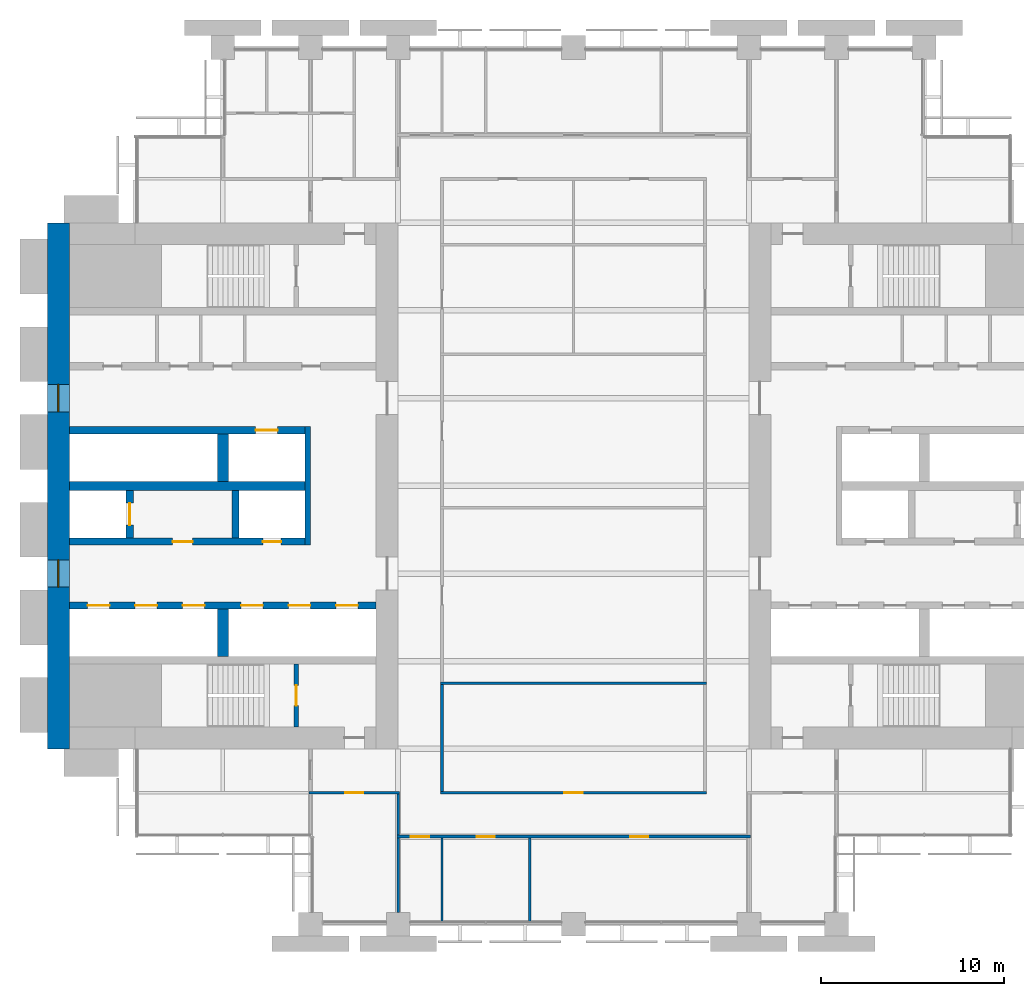
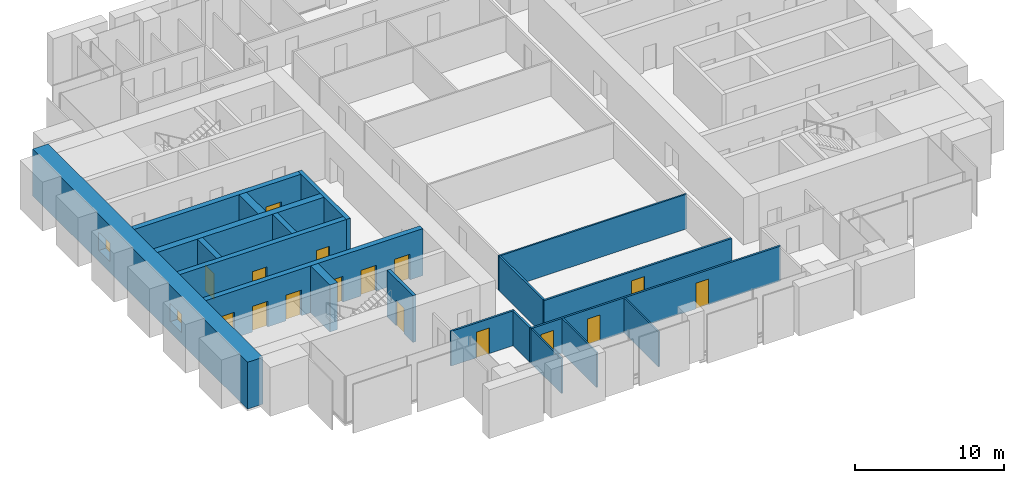
# One storey, part 9 of 14: 20 walls, 16 doors, 2 windows, 18 openings.
"""IFC4 building model written with IfcOpenShell, lengths in metres."""

from ifc_helpers import new_model, si_unit, direction, frame, frame_2d, origin, place, context, subcontext, project, spatial, rectangle, extrude, material, layer, layer_set, type_object, element, fill, save


model = new_model("IFC4")

# Units and contexts
model_context = context("Model", 3, precision=1e-05, world=origin(), true_north=direction((0.0, 1.0)))
body_context = subcontext(model_context, "Body", "Model", "MODEL_VIEW")
ifc_project = project(units=[si_unit("LENGTHUNIT", "METRE"), si_unit("AREAUNIT", "SQUARE_METRE"), si_unit("VOLUMEUNIT", "CUBIC_METRE"), si_unit("PLANEANGLEUNIT", "RADIAN"), si_unit("MASSUNIT", "GRAM", prefix="KILO")], contexts=[model_context])

# Site, building, storey
site_placement = place(None, origin())
site = spatial("IfcSite", under=ifc_project, at=site_placement, CompositionType="ELEMENT")
building_placement = place(site_placement, origin())
building = spatial("IfcBuilding", under=site, at=building_placement, Name="Baori Bourse Tower", CompositionType="ELEMENT")
storey_placement = place(building_placement, frame((0.0, 0.0, 67.0)))
storey = spatial("IfcBuildingStorey", under=building, at=storey_placement, Name="L14", CompositionType="ELEMENT", Elevation=67.0)

# Wall, openings, windows
ifc_material_1 = material(Name="Concrete f'c 70 MPa", Category="concrete")
ifc_layer_1 = layer(ifc_material_1, 1.199951171875)
ifc_layer_set_1 = layer_set([ifc_layer_1], Name="Core wall 1200 f'c 70")
wall_type_1 = type_object("IfcWallType", Name="Core wall 1200 f'c 70", PredefinedType="SHEAR", material=ifc_layer_set_1)
wall_1_placement = place(storey_placement, frame((0.60009765625, 9.60009765625, 0.0), z_axis=(0.0, 0.0, 1.0), x_axis=(0.0, 1.0, 0.0)))
wall_1 = element("IfcWall", 1, at=wall_1_placement, inside=storey, type_object=wall_type_1, Name="Core wall W01", PredefinedType="SHEAR", context=body_context, shape_type="SweptSolid", body=[
    extrude(rectangle(XDim=28.7998046875, YDim=1.199951171875, at=frame_2d((14.39990234375, 0.0))), origin(), (0.0, 0.0, 1.0), 3.840087890625),
])
opening_1_placement = place(wall_1_placement, frame((8.85009765625, 0.0, 0.89990234375)))
opening_1 = element("IfcOpeningElement", 2, at=opening_1_placement, cuts=wall_1, Name="Opening L14-KW101", PredefinedType="OPENING", context=body_context, shape_type="SweptSolid", body=[
    extrude(rectangle(XDim=1.5, YDim=1.5, at=frame_2d((0.75, 0.75))), frame((0.0, 0.60986328125, 0.0), z_axis=(0.0, -1.0, 0.0), x_axis=(1.0, 0.0, 0.0)), (0.0, 0.0, 1.0), 1.219970703125),
])
opening_2_placement = place(wall_1_placement, frame((18.449951171875, 0.0, 0.89990234375)))
opening_2 = element("IfcOpeningElement", 3, at=opening_2_placement, cuts=wall_1, Name="Opening L14-KW102", PredefinedType="OPENING", context=body_context, shape_type="SweptSolid", body=[
    extrude(rectangle(XDim=1.5, YDim=1.5, at=frame_2d((0.75, 0.75))), frame((0.0, 0.60986328125, 0.0), z_axis=(0.0, -1.0, 0.0), x_axis=(1.0, 0.0, 0.0)), (0.0, 0.0, 1.0), 1.219970703125),
])
ifc_material_2 = material(Name="Pale anodised aluminium", Category="aluminium")
window_type = type_object("IfcWindowType", Name="Lobby window 1500 x 1500", PartitioningType="SINGLE_PANEL", PredefinedType="WINDOW", material=ifc_material_2)
window_1_placement = place(opening_1_placement, origin())
window_1 = element("IfcWindow", 4, at=window_1_placement, inside=storey, type_object=window_type, Name="Outer wall window W L14 1", OverallHeight=1.5, OverallWidth=1.5, PartitioningType="SINGLE_PANEL", PredefinedType="WINDOW", context=body_context, shape_type="SweptSolid", body=[
    extrude(rectangle(XDim=1.5, YDim=1.5, at=frame_2d((0.75, 0.75))), frame((0.0, 0.030029296875, 0.0), z_axis=(0.0, -1.0, 0.0), x_axis=(1.0, 0.0, 0.0)), (0.0, 0.0, 1.0), 0.06005859375),
])
fill(opening_1, window_1)
window_2_placement = place(opening_2_placement, origin())
window_2 = element("IfcWindow", 5, at=window_2_placement, inside=storey, type_object=window_type, Name="Outer wall window W L14 2", OverallHeight=1.5, OverallWidth=1.5, PartitioningType="SINGLE_PANEL", PredefinedType="WINDOW", context=body_context, shape_type="SweptSolid", body=[
    extrude(rectangle(XDim=1.5, YDim=1.5, at=frame_2d((0.75, 0.75))), frame((0.0, 0.030029296875, 0.0), z_axis=(0.0, -1.0, 0.0), x_axis=(1.0, 0.0, 0.0)), (0.0, 0.0, 1.0), 0.06005859375),
])
fill(opening_2, window_2)

# Wall, openings, doors
ifc_material_3 = material(Name="Gypsum board partition")
ifc_layer_2 = layer(ifc_material_3, 0.14990234375)
ifc_layer_set_2 = layer_set([ifc_layer_2], Name="Corridor partition 150")
wall_type_2 = type_object("IfcWallType", Name="Corridor partition 150", PredefinedType="PARTITIONING", material=ifc_layer_set_2)
wall_2_placement = place(storey_placement, frame((19.125, 4.800048828125, 0.0), z_axis=(0.0, 0.0, 1.0), x_axis=(1.0, 0.0, 0.0)))
wall_2 = element("IfcWall", 6, at=wall_2_placement, inside=storey, type_object=wall_type_2, Name="Partition", PredefinedType="PARTITIONING", context=body_context, shape_type="SweptSolid", body=[
    extrude(rectangle(XDim=19.35009765625, YDim=0.14990234375, at=frame_2d((9.675048828125, 0.0))), origin(), (0.0, 0.0, 1.0), 2.849365234375),
])
opening_3_placement = place(wall_2_placement, frame((0.77490234375, 0.0, 0.0)))
opening_3 = element("IfcOpeningElement", 7, at=opening_3_placement, cuts=wall_2, Name="Opening L14-D01", PredefinedType="OPENING", context=body_context, shape_type="SweptSolid", body=[
    extrude(rectangle(XDim=1.0, YDim=2.10009765625, at=frame_2d((0.5, 1.050048828125))), frame((0.0, 0.0849609375, 0.0), z_axis=(0.0, -1.0, 0.0), x_axis=(1.0, 0.0, 0.0)), (0.0, 0.0, 1.0), 0.169921875),
])
opening_4_placement = place(wall_2_placement, frame((4.375, 0.0, 0.0)))
opening_4 = element("IfcOpeningElement", 8, at=opening_4_placement, cuts=wall_2, Name="Opening L14-D02", PredefinedType="OPENING", context=body_context, shape_type="SweptSolid", body=[
    extrude(rectangle(XDim=1.0, YDim=2.10009765625, at=frame_2d((0.5, 1.050048828125))), frame((0.0, 0.0849609375, 0.0), z_axis=(0.0, -1.0, 0.0), x_axis=(1.0, 0.0, 0.0)), (0.0, 0.0, 1.0), 0.169921875),
])
opening_5_placement = place(wall_2_placement, frame((12.77490234375, 0.0, 0.0)))
opening_5 = element("IfcOpeningElement", 9, at=opening_5_placement, cuts=wall_2, Name="Opening L14-D03", PredefinedType="OPENING", context=body_context, shape_type="SweptSolid", body=[
    extrude(rectangle(XDim=1.0, YDim=2.10009765625, at=frame_2d((0.5, 1.050048828125))), frame((0.0, 0.0849609375, 0.0), z_axis=(0.0, -1.0, 0.0), x_axis=(1.0, 0.0, 0.0)), (0.0, 0.0, 1.0), 0.169921875),
])
ifc_material_4 = material(Name="Timber door leaf", Category="wood")
door_type_1 = type_object("IfcDoorType", Name="Door 1000 x 2100", OperationType="SINGLE_SWING_LEFT", PredefinedType="DOOR", material=ifc_material_4)
door_1_placement = place(opening_3_placement, origin())
door_1 = element("IfcDoor", 10, at=door_1_placement, inside=storey, type_object=door_type_1, Name="Door", OperationType="SINGLE_SWING_LEFT", OverallHeight=2.10009765625, OverallWidth=1.0, PredefinedType="DOOR", context=body_context, shape_type="SweptSolid", body=[
    extrude(rectangle(XDim=1.0, YDim=2.10009765625, at=frame_2d((0.5, 1.050048828125))), frame((0.0, 0.02490234375, 0.0), z_axis=(0.0, -1.0, 0.0), x_axis=(1.0, 0.0, 0.0)), (0.0, 0.0, 1.0), 0.050048828125),
])
fill(opening_3, door_1)
door_2_placement = place(opening_4_placement, origin())
door_2 = element("IfcDoor", 11, at=door_2_placement, inside=storey, type_object=door_type_1, Name="Door", OperationType="SINGLE_SWING_LEFT", OverallHeight=2.10009765625, OverallWidth=1.0, PredefinedType="DOOR", context=body_context, shape_type="SweptSolid", body=[
    extrude(rectangle(XDim=1.0, YDim=2.10009765625, at=frame_2d((0.5, 1.050048828125))), frame((0.0, 0.02490234375, 0.0), z_axis=(0.0, -1.0, 0.0), x_axis=(1.0, 0.0, 0.0)), (0.0, 0.0, 1.0), 0.050048828125),
])
fill(opening_4, door_2)
door_3_placement = place(opening_5_placement, origin())
door_3 = element("IfcDoor", 12, at=door_3_placement, inside=storey, type_object=door_type_1, Name="Door", OperationType="SINGLE_SWING_RIGHT", OverallHeight=2.10009765625, OverallWidth=1.0, PredefinedType="DOOR", context=body_context, shape_type="SweptSolid", body=[
    extrude(rectangle(XDim=1.0, YDim=2.10009765625, at=frame_2d((0.5, 1.050048828125))), frame((0.0, 0.02490234375, 0.0), z_axis=(0.0, -1.0, 0.0), x_axis=(1.0, 0.0, 0.0)), (0.0, 0.0, 1.0), 0.050048828125),
])
fill(opening_5, door_3)

# Wall, opening, door
wall_3_placement = place(storey_placement, frame((14.324951171875, 7.199951171875, 0.0), z_axis=(0.0, 0.0, 1.0), x_axis=(1.0, 0.0, 0.0)))
wall_3 = element("IfcWall", 13, at=wall_3_placement, inside=storey, type_object=wall_type_2, Name="Partition", PredefinedType="PARTITIONING", context=body_context, shape_type="SweptSolid", body=[
    extrude(rectangle(XDim=4.949951171875, YDim=0.14990234375, at=frame_2d((2.47509765625, 0.0))), origin(), (0.0, 0.0, 1.0), 2.849365234375),
])
opening_6_placement = place(wall_3_placement, frame((1.97509765625, 0.0, 0.0)))
opening_6 = element("IfcOpeningElement", 14, at=opening_6_placement, cuts=wall_3, Name="Opening L14-D04", PredefinedType="OPENING", context=body_context, shape_type="SweptSolid", body=[
    extrude(rectangle(XDim=1.0, YDim=2.10009765625, at=frame_2d((0.5, 1.050048828125))), frame((0.0, 0.0849609375, 0.0), z_axis=(0.0, -1.0, 0.0), x_axis=(1.0, 0.0, 0.0)), (0.0, 0.0, 1.0), 0.169921875),
])
door_4_placement = place(opening_6_placement, origin())
door_4 = element("IfcDoor", 15, at=door_4_placement, inside=storey, type_object=door_type_1, Name="Door", OperationType="SINGLE_SWING_RIGHT", OverallHeight=2.10009765625, OverallWidth=1.0, PredefinedType="DOOR", context=body_context, shape_type="SweptSolid", body=[
    extrude(rectangle(XDim=1.0, YDim=2.10009765625, at=frame_2d((0.5, 1.050048828125))), frame((0.0, 0.02490234375, 0.0), z_axis=(0.0, -1.0, 0.0), x_axis=(1.0, 0.0, 0.0)), (0.0, 0.0, 1.0), 0.050048828125),
])
fill(opening_6, door_4)

wall_4_placement = place(storey_placement, frame((21.52490234375, 7.199951171875, 0.0), z_axis=(0.0, 0.0, 1.0), x_axis=(1.0, 0.0, 0.0)))
wall_4 = element("IfcWall", 16, at=wall_4_placement, inside=storey, type_object=wall_type_2, Name="Partition", PredefinedType="PARTITIONING", context=body_context, shape_type="SweptSolid", body=[
    extrude(rectangle(XDim=14.550048828125, YDim=0.14990234375, at=frame_2d((7.27490234375, 0.0))), origin(), (0.0, 0.0, 1.0), 2.849365234375),
])
opening_7_placement = place(wall_4_placement, frame((6.77490234375, 0.0, 0.0)))
opening_7 = element("IfcOpeningElement", 17, at=opening_7_placement, cuts=wall_4, Name="Opening L14-D05", PredefinedType="OPENING", context=body_context, shape_type="SweptSolid", body=[
    extrude(rectangle(XDim=1.0, YDim=2.10009765625, at=frame_2d((0.5, 1.050048828125))), frame((0.0, 0.0849609375, 0.0), z_axis=(0.0, -1.0, 0.0), x_axis=(1.0, 0.0, 0.0)), (0.0, 0.0, 1.0), 0.169921875),
])
door_5_placement = place(opening_7_placement, origin())
door_5 = element("IfcDoor", 18, at=door_5_placement, inside=storey, type_object=door_type_1, Name="Door", OperationType="SINGLE_SWING_RIGHT", OverallHeight=2.10009765625, OverallWidth=1.0, PredefinedType="DOOR", context=body_context, shape_type="SweptSolid", body=[
    extrude(rectangle(XDim=1.0, YDim=2.10009765625, at=frame_2d((0.5, 1.050048828125))), frame((0.0, 0.02490234375, 0.0), z_axis=(0.0, -1.0, 0.0), x_axis=(1.0, 0.0, 0.0)), (0.0, 0.0, 1.0), 0.050048828125),
])
fill(opening_7, door_5)

# Walls
wall_5_placement = place(storey_placement, frame((19.199951171875, 4.875, 0.0), z_axis=(0.0, 0.0, 1.0), x_axis=(0.0, 1.0, 0.0)))
element("IfcWall", 19, at=wall_5_placement, inside=storey, type_object=wall_type_2, Name="Partition", PredefinedType="PARTITIONING", context=body_context, shape_type="SweptSolid", body=[
    extrude(rectangle(XDim=2.25, YDim=0.14990234375, at=frame_2d((1.125, 0.0))), origin(), (0.0, 0.0, 1.0), 2.849365234375),
])
wall_6_placement = place(storey_placement, frame((21.60009765625, 7.27490234375, 0.0), z_axis=(0.0, 0.0, 1.0), x_axis=(0.0, 1.0, 0.0)))
element("IfcWall", 20, at=wall_6_placement, inside=storey, type_object=wall_type_2, Name="Partition", PredefinedType="PARTITIONING", context=body_context, shape_type="SweptSolid", body=[
    extrude(rectangle(XDim=5.862548828125, YDim=0.14990234375, at=frame_2d((2.93115234375, 0.0))), origin(), (0.0, 0.0, 1.0), 2.849365234375),
])
ifc_material_5 = material(Name="Gypsum board partition")
ifc_layer_3 = layer(ifc_material_5, 0.125)
ifc_layer_set_3 = layer_set([ifc_layer_3], Name="Partition 125")
wall_type_3 = type_object("IfcWallType", Name="Partition 125", PredefinedType="PARTITIONING", material=ifc_layer_set_3)
wall_7_placement = place(storey_placement, frame((21.52490234375, 13.199951171875, 0.0), z_axis=(0.0, 0.0, 1.0), x_axis=(1.0, 0.0, 0.0)))
element("IfcWall", 21, at=wall_7_placement, inside=storey, type_object=wall_type_3, Name="Partition", PredefinedType="PARTITIONING", context=body_context, shape_type="SweptSolid", body=[
    extrude(rectangle(XDim=14.550048828125, YDim=0.125, at=frame_2d((7.27490234375, 0.0))), origin(), (0.0, 0.0, 1.0), 2.849365234375),
])
wall_8_placement = place(storey_placement, frame((19.199951171875, 0.64990234375, 0.0), z_axis=(0.0, 0.0, 1.0), x_axis=(0.0, 1.0, 0.0)))
element("IfcWall", 22, at=wall_8_placement, inside=storey, type_object=wall_type_3, Name="Partition", PredefinedType="PARTITIONING", context=body_context, shape_type="SweptSolid", body=[
    extrude(rectangle(XDim=4.0751953125, YDim=0.125, at=frame_2d((2.03759765625, 0.0))), origin(), (0.0, 0.0, 1.0), 2.849365234375),
])
for number, where, z_axis, x_axis, name in (
    (23, (21.60009765625, 0.10009765625, 0.0), (0.0, 0.0, 1.0), (0.0, 1.0, 0.0), "Partition"),
    (24, (26.39990234375, 0.10009765625, 0.0), (0.0, 0.0, 1.0), (0.0, 1.0, 0.0), "Partition"),
):
    element("IfcWall", number, at=place(storey_placement, frame(where, z_axis=z_axis, x_axis=x_axis)), inside=storey, type_object=wall_type_3, Name=name, PredefinedType="PARTITIONING", context=body_context, shape_type="SweptSolid", body=[
        extrude(rectangle(XDim=4.625, YDim=0.125, at=frame_2d((2.3125, 0.0))), origin(), (0.0, 0.0, 1.0), 2.849365234375),
    ])

# Wall, opening, door
ifc_material_6 = material(Name="Concrete f'c 70 MPa", Category="concrete")
ifc_layer_4 = layer(ifc_material_6, 0.25)
ifc_layer_set_4 = layer_set([ifc_layer_4], Name="Shaft wall 250 f'c 70")
wall_type_4 = type_object("IfcWallType", Name="Shaft wall 250 f'c 70", PredefinedType="SHEAR", material=ifc_layer_set_4)
wall_9_placement = place(storey_placement, frame((13.625, 10.800048828125, 0.0), z_axis=(0.0, 0.0, 1.0), x_axis=(0.0, 1.0, 0.0)))
wall_9 = element("IfcWall", 25, at=wall_9_placement, inside=storey, type_object=wall_type_4, Name="Core wall W06", PredefinedType="SHEAR", context=body_context, shape_type="SweptSolid", body=[
    extrude(rectangle(XDim=3.449951171875, YDim=0.25, at=frame_2d((1.72509765625, 0.0))), origin(), (0.0, 0.0, 1.0), 3.840087890625),
])
opening_8_placement = place(wall_9_placement, frame((1.175048828125, 0.0, 0.0)))
opening_8 = element("IfcOpeningElement", 26, at=opening_8_placement, cuts=wall_9, Name="Opening L14-D101", PredefinedType="OPENING", context=body_context, shape_type="SweptSolid", body=[
    extrude(rectangle(XDim=1.10009765625, YDim=2.10009765625, at=frame_2d((0.550048828125, 1.050048828125))), frame((0.0, 0.135009765625, 0.0), z_axis=(0.0, -1.0, 0.0), x_axis=(1.0, 0.0, 0.0)), (0.0, 0.0, 1.0), 0.27001953125),
])
ifc_material_7 = material(Name="Painted steel door", Category="steel")
door_type_2 = type_object("IfcDoorType", Name="Stair door 1100", OperationType="SINGLE_SWING_LEFT", PredefinedType="DOOR", material=ifc_material_7)
door_6_placement = place(opening_8_placement, origin())
door_6 = element("IfcDoor", 27, at=door_6_placement, inside=storey, type_object=door_type_2, Name="Stair door A W L14", OperationType="SINGLE_SWING_LEFT", OverallHeight=2.10009765625, OverallWidth=1.10009765625, PredefinedType="DOOR", context=body_context, shape_type="SweptSolid", body=[
    extrude(rectangle(XDim=1.10009765625, YDim=2.10009765625, at=frame_2d((0.550048828125, 1.050048828125))), frame((0.0, 0.02490234375, 0.0), z_axis=(0.0, -1.0, 0.0), x_axis=(1.0, 0.0, 0.0)), (0.0, 0.0, 1.0), 0.050048828125),
])
fill(opening_8, door_6)

# Wall
ifc_material_8 = material(Name="Concrete f'c 70 MPa", Category="concrete")
ifc_layer_5 = layer(ifc_material_8, 0.300048828125)
ifc_layer_set_5 = layer_set([ifc_layer_5], Name="Shaft wall 300 f'c 70")
wall_type_5 = type_object("IfcWallType", Name="Shaft wall 300 f'c 70", PredefinedType="SHEAR", material=ifc_layer_set_5)
wall_10_placement = place(storey_placement, frame((14.25, 20.75, 0.0), z_axis=(0.0, 0.0, 1.0), x_axis=(0.0, 1.0, 0.0)))
element("IfcWall", 28, at=wall_10_placement, inside=storey, type_object=wall_type_5, Name="Core wall W11", PredefinedType="SHEAR", context=body_context, shape_type="SweptSolid", body=[
    extrude(rectangle(XDim=6.5, YDim=0.300048828125, at=frame_2d((3.25, 0.0))), origin(), (0.0, 0.0, 1.0), 3.840087890625),
])

# Wall, openings, doors
ifc_material_9 = material(Name="Concrete f'c 70 MPa", Category="concrete")
ifc_layer_6 = layer(ifc_material_9, 0.39990234375)
ifc_layer_set_6 = layer_set([ifc_layer_6], Name="Shaft wall 400 f'c 70")
wall_type_6 = type_object("IfcWallType", Name="Shaft wall 400 f'c 70", PredefinedType="SHEAR", material=ifc_layer_set_6)
wall_11_placement = place(storey_placement, frame((1.199951171875, 17.449951171875, 0.0), z_axis=(0.0, 0.0, 1.0), x_axis=(1.0, 0.0, 0.0)))
wall_11 = element("IfcWall", 29, at=wall_11_placement, inside=storey, type_object=wall_type_6, Name="Core wall W09", PredefinedType="SHEAR", context=body_context, shape_type="SweptSolid", body=[
    extrude(rectangle(XDim=16.800048828125, YDim=0.39990234375, at=frame_2d((8.39990234375, 0.0))), origin(), (0.0, 0.0, 1.0), 3.840087890625),
])
opening_9_placement = place(wall_11_placement, frame((1.0, 0.0, 0.0)))
opening_9 = element("IfcOpeningElement", 30, at=opening_9_placement, cuts=wall_11, Name="Opening L14-D113", PredefinedType="OPENING", context=body_context, shape_type="SweptSolid", body=[
    extrude(rectangle(XDim=1.199951171875, YDim=2.10009765625, at=frame_2d((0.60009765625, 1.050048828125))), frame((0.0, 0.2099609375, 0.0), z_axis=(0.0, -1.0, 0.0), x_axis=(1.0, 0.0, 0.0)), (0.0, 0.0, 1.0), 0.419921875),
])
opening_10_placement = place(wall_11_placement, frame((3.60009765625, 0.0, 0.0)))
opening_10 = element("IfcOpeningElement", 31, at=opening_10_placement, cuts=wall_11, Name="Opening L14-D114", PredefinedType="OPENING", context=body_context, shape_type="SweptSolid", body=[
    extrude(rectangle(XDim=1.199951171875, YDim=2.10009765625, at=frame_2d((0.60009765625, 1.050048828125))), frame((0.0, 0.2099609375, 0.0), z_axis=(0.0, -1.0, 0.0), x_axis=(1.0, 0.0, 0.0)), (0.0, 0.0, 1.0), 0.419921875),
])
opening_11_placement = place(wall_11_placement, frame((6.199951171875, 0.0, 0.0)))
opening_11 = element("IfcOpeningElement", 32, at=opening_11_placement, cuts=wall_11, Name="Opening L14-D115", PredefinedType="OPENING", context=body_context, shape_type="SweptSolid", body=[
    extrude(rectangle(XDim=1.199951171875, YDim=2.10009765625, at=frame_2d((0.60009765625, 1.050048828125))), frame((0.0, 0.2099609375, 0.0), z_axis=(0.0, -1.0, 0.0), x_axis=(1.0, 0.0, 0.0)), (0.0, 0.0, 1.0), 0.419921875),
])
opening_12_placement = place(wall_11_placement, frame((9.39990234375, 0.0, 0.0)))
opening_12 = element("IfcOpeningElement", 33, at=opening_12_placement, cuts=wall_11, Name="Opening L14-D116", PredefinedType="OPENING", context=body_context, shape_type="SweptSolid", body=[
    extrude(rectangle(XDim=1.199951171875, YDim=2.10009765625, at=frame_2d((0.60009765625, 1.050048828125))), frame((0.0, 0.2099609375, 0.0), z_axis=(0.0, -1.0, 0.0), x_axis=(1.0, 0.0, 0.0)), (0.0, 0.0, 1.0), 0.419921875),
])
opening_13_placement = place(wall_11_placement, frame((12.0, 0.0, 0.0)))
opening_13 = element("IfcOpeningElement", 34, at=opening_13_placement, cuts=wall_11, Name="Opening L14-D117", PredefinedType="OPENING", context=body_context, shape_type="SweptSolid", body=[
    extrude(rectangle(XDim=1.199951171875, YDim=2.10009765625, at=frame_2d((0.60009765625, 1.050048828125))), frame((0.0, 0.2099609375, 0.0), z_axis=(0.0, -1.0, 0.0), x_axis=(1.0, 0.0, 0.0)), (0.0, 0.0, 1.0), 0.419921875),
])
opening_14_placement = place(wall_11_placement, frame((14.60009765625, 0.0, 0.0)))
opening_14 = element("IfcOpeningElement", 35, at=opening_14_placement, cuts=wall_11, Name="Opening L14-D118", PredefinedType="OPENING", context=body_context, shape_type="SweptSolid", body=[
    extrude(rectangle(XDim=1.199951171875, YDim=2.10009765625, at=frame_2d((0.60009765625, 1.050048828125))), frame((0.0, 0.2099609375, 0.0), z_axis=(0.0, -1.0, 0.0), x_axis=(1.0, 0.0, 0.0)), (0.0, 0.0, 1.0), 0.419921875),
])
ifc_material_10 = material(Name="Stainless steel door", Category="steel")
door_type_3 = type_object("IfcDoorType", Name="Lift landing door", OperationType="DOUBLE_DOOR_SLIDING", PredefinedType="DOOR", material=ifc_material_10)
door_7_placement = place(opening_9_placement, origin())
door_7 = element("IfcDoor", 36, at=door_7_placement, inside=storey, type_object=door_type_3, Name="Lift landing door LR1 W L14", OperationType="DOUBLE_DOOR_SLIDING", OverallHeight=2.10009765625, OverallWidth=1.199951171875, PredefinedType="DOOR", context=body_context, shape_type="SweptSolid", body=[
    extrude(rectangle(XDim=1.199951171875, YDim=2.10009765625, at=frame_2d((0.60009765625, 1.050048828125))), frame((0.0, 0.02490234375, 0.0), z_axis=(0.0, -1.0, 0.0), x_axis=(1.0, 0.0, 0.0)), (0.0, 0.0, 1.0), 0.050048828125),
])
fill(opening_9, door_7)
door_8_placement = place(opening_10_placement, origin())
door_8 = element("IfcDoor", 37, at=door_8_placement, inside=storey, type_object=door_type_3, Name="Lift landing door LR2 W L14", OperationType="DOUBLE_DOOR_SLIDING", OverallHeight=2.10009765625, OverallWidth=1.199951171875, PredefinedType="DOOR", context=body_context, shape_type="SweptSolid", body=[
    extrude(rectangle(XDim=1.199951171875, YDim=2.10009765625, at=frame_2d((0.60009765625, 1.050048828125))), frame((0.0, 0.02490234375, 0.0), z_axis=(0.0, -1.0, 0.0), x_axis=(1.0, 0.0, 0.0)), (0.0, 0.0, 1.0), 0.050048828125),
])
fill(opening_10, door_8)
door_9_placement = place(opening_11_placement, origin())
door_9 = element("IfcDoor", 38, at=door_9_placement, inside=storey, type_object=door_type_3, Name="Lift landing door LR3 W L14", OperationType="DOUBLE_DOOR_SLIDING", OverallHeight=2.10009765625, OverallWidth=1.199951171875, PredefinedType="DOOR", context=body_context, shape_type="SweptSolid", body=[
    extrude(rectangle(XDim=1.199951171875, YDim=2.10009765625, at=frame_2d((0.60009765625, 1.050048828125))), frame((0.0, 0.02490234375, 0.0), z_axis=(0.0, -1.0, 0.0), x_axis=(1.0, 0.0, 0.0)), (0.0, 0.0, 1.0), 0.050048828125),
])
fill(opening_11, door_9)
door_10_placement = place(opening_12_placement, origin())
door_10 = element("IfcDoor", 39, at=door_10_placement, inside=storey, type_object=door_type_3, Name="Lift landing door LR4 W L14", OperationType="DOUBLE_DOOR_SLIDING", OverallHeight=2.10009765625, OverallWidth=1.199951171875, PredefinedType="DOOR", context=body_context, shape_type="SweptSolid", body=[
    extrude(rectangle(XDim=1.199951171875, YDim=2.10009765625, at=frame_2d((0.60009765625, 1.050048828125))), frame((0.0, 0.02490234375, 0.0), z_axis=(0.0, -1.0, 0.0), x_axis=(1.0, 0.0, 0.0)), (0.0, 0.0, 1.0), 0.050048828125),
])
fill(opening_12, door_10)
door_11_placement = place(opening_13_placement, origin())
door_11 = element("IfcDoor", 40, at=door_11_placement, inside=storey, type_object=door_type_3, Name="Lift landing door LR5 W L14", OperationType="DOUBLE_DOOR_SLIDING", OverallHeight=2.10009765625, OverallWidth=1.199951171875, PredefinedType="DOOR", context=body_context, shape_type="SweptSolid", body=[
    extrude(rectangle(XDim=1.199951171875, YDim=2.10009765625, at=frame_2d((0.60009765625, 1.050048828125))), frame((0.0, 0.02490234375, 0.0), z_axis=(0.0, -1.0, 0.0), x_axis=(1.0, 0.0, 0.0)), (0.0, 0.0, 1.0), 0.050048828125),
])
fill(opening_13, door_11)
door_12_placement = place(opening_14_placement, origin())
door_12 = element("IfcDoor", 41, at=door_12_placement, inside=storey, type_object=door_type_3, Name="Lift landing door LR6 W L14", OperationType="DOUBLE_DOOR_SLIDING", OverallHeight=2.10009765625, OverallWidth=1.199951171875, PredefinedType="DOOR", context=body_context, shape_type="SweptSolid", body=[
    extrude(rectangle(XDim=1.199951171875, YDim=2.10009765625, at=frame_2d((0.60009765625, 1.050048828125))), frame((0.0, 0.02490234375, 0.0), z_axis=(0.0, -1.0, 0.0), x_axis=(1.0, 0.0, 0.0)), (0.0, 0.0, 1.0), 0.050048828125),
])
fill(opening_14, door_12)

wall_12_placement = place(storey_placement, frame((1.199951171875, 20.949951171875, 0.0), z_axis=(0.0, 0.0, 1.0), x_axis=(1.0, 0.0, 0.0)))
wall_12 = element("IfcWall", 42, at=wall_12_placement, inside=storey, type_object=wall_type_6, Name="Core wall W10", PredefinedType="SHEAR", context=body_context, shape_type="SweptSolid", body=[
    extrude(rectangle(XDim=12.900146484375, YDim=0.39990234375, at=frame_2d((6.4501953125, 0.0))), origin(), (0.0, 0.0, 1.0), 3.840087890625),
])
opening_15_placement = place(wall_12_placement, frame((5.64990234375, 0.0, 0.0)))
opening_15 = element("IfcOpeningElement", 43, at=opening_15_placement, cuts=wall_12, Name="Opening L14-D105", PredefinedType="OPENING", context=body_context, shape_type="SweptSolid", body=[
    extrude(rectangle(XDim=1.10009765625, YDim=2.10009765625, at=frame_2d((0.550048828125, 1.050048828125))), frame((0.0, 0.2099609375, 0.0), z_axis=(0.0, -1.0, 0.0), x_axis=(1.0, 0.0, 0.0)), (0.0, 0.0, 1.0), 0.419921875),
])
opening_16_placement = place(wall_12_placement, frame((10.60009765625, 0.0, 0.0)))
opening_16 = element("IfcOpeningElement", 44, at=opening_16_placement, cuts=wall_12, Name="Opening L14-D106", PredefinedType="OPENING", context=body_context, shape_type="SweptSolid", body=[
    extrude(rectangle(XDim=1.0, YDim=2.10009765625, at=frame_2d((0.5, 1.050048828125))), frame((0.0, 0.2099609375, 0.0), z_axis=(0.0, -1.0, 0.0), x_axis=(1.0, 0.0, 0.0)), (0.0, 0.0, 1.0), 0.419921875),
])
ifc_material_11 = material(Name="Painted steel door", Category="steel")
door_type_4 = type_object("IfcDoorType", Name="Lobby door 1100", OperationType="SINGLE_SWING_LEFT", PredefinedType="DOOR", material=ifc_material_11)
door_13_placement = place(opening_15_placement, origin())
door_13 = element("IfcDoor", 45, at=door_13_placement, inside=storey, type_object=door_type_4, Name="Firefighting lobby door W L14", OperationType="SINGLE_SWING_LEFT", OverallHeight=2.10009765625, OverallWidth=1.10009765625, PredefinedType="DOOR", context=body_context, shape_type="SweptSolid", body=[
    extrude(rectangle(XDim=1.10009765625, YDim=2.10009765625, at=frame_2d((0.550048828125, 1.050048828125))), frame((0.0, 0.02490234375, 0.0), z_axis=(0.0, -1.0, 0.0), x_axis=(1.0, 0.0, 0.0)), (0.0, 0.0, 1.0), 0.050048828125),
])
fill(opening_15, door_13)
ifc_material_12 = material(Name="Painted steel door", Category="steel")
door_type_5 = type_object("IfcDoorType", Name="Shaft door 1000", OperationType="SINGLE_SWING_LEFT", PredefinedType="DOOR", material=ifc_material_12)
door_14_placement = place(opening_16_placement, origin())
door_14 = element("IfcDoor", 46, at=door_14_placement, inside=storey, type_object=door_type_5, Name="Riser room door W L14", OperationType="SINGLE_SWING_LEFT", OverallHeight=2.10009765625, OverallWidth=1.0, PredefinedType="DOOR", context=body_context, shape_type="SweptSolid", body=[
    extrude(rectangle(XDim=1.0, YDim=2.10009765625, at=frame_2d((0.5, 1.050048828125))), frame((0.0, 0.02490234375, 0.0), z_axis=(0.0, -1.0, 0.0), x_axis=(1.0, 0.0, 0.0)), (0.0, 0.0, 1.0), 0.050048828125),
])
fill(opening_16, door_14)

# Wall, opening, door
wall_13_placement = place(storey_placement, frame((4.5, 21.14990234375, 0.0), z_axis=(0.0, 0.0, 1.0), x_axis=(0.0, 1.0, 0.0)))
wall_13 = element("IfcWall", 47, at=wall_13_placement, inside=storey, type_object=wall_type_6, Name="Core wall W12", PredefinedType="SHEAR", context=body_context, shape_type="SweptSolid", body=[
    extrude(rectangle(XDim=2.60009765625, YDim=0.39990234375, at=frame_2d((1.300048828125, 0.0))), origin(), (0.0, 0.0, 1.0), 3.840087890625),
])
opening_17_placement = place(wall_13_placement, frame((0.699951171875, 0.0, 0.0)))
opening_17 = element("IfcOpeningElement", 48, at=opening_17_placement, cuts=wall_13, Name="Opening L14-D120", PredefinedType="OPENING", context=body_context, shape_type="SweptSolid", body=[
    extrude(rectangle(XDim=1.199951171875, YDim=2.10009765625, at=frame_2d((0.60009765625, 1.050048828125))), frame((0.0, 0.2099609375, 0.0), z_axis=(0.0, -1.0, 0.0), x_axis=(1.0, 0.0, 0.0)), (0.0, 0.0, 1.0), 0.419921875),
])
door_15_placement = place(opening_17_placement, origin())
door_15 = element("IfcDoor", 49, at=door_15_placement, inside=storey, type_object=door_type_3, Name="Lift landing door FF1 W L14", OperationType="DOUBLE_DOOR_SLIDING", OverallHeight=2.10009765625, OverallWidth=1.199951171875, PredefinedType="DOOR", context=body_context, shape_type="SweptSolid", body=[
    extrude(rectangle(XDim=1.199951171875, YDim=2.10009765625, at=frame_2d((0.60009765625, 1.050048828125))), frame((0.0, 0.02490234375, 0.0), z_axis=(0.0, -1.0, 0.0), x_axis=(1.0, 0.0, 0.0)), (0.0, 0.0, 1.0), 0.050048828125),
])
fill(opening_17, door_15)

# Wall
wall_14_placement = place(storey_placement, frame((10.300048828125, 21.14990234375, 0.0), z_axis=(0.0, 0.0, 1.0), x_axis=(0.0, 1.0, 0.0)))
element("IfcWall", 50, at=wall_14_placement, inside=storey, type_object=wall_type_6, Name="Core wall W13", PredefinedType="SHEAR", context=body_context, shape_type="SweptSolid", body=[
    extrude(rectangle(XDim=2.60009765625, YDim=0.39990234375, at=frame_2d((1.300048828125, 0.0))), origin(), (0.0, 0.0, 1.0), 3.840087890625),
])

# Wall, opening, door
wall_15_placement = place(storey_placement, frame((1.199951171875, 27.050048828125, 0.0), z_axis=(0.0, 0.0, 1.0), x_axis=(1.0, 0.0, 0.0)))
wall_15 = element("IfcWall", 51, at=wall_15_placement, inside=storey, type_object=wall_type_6, Name="Core wall W16", PredefinedType="SHEAR", context=body_context, shape_type="SweptSolid", body=[
    extrude(rectangle(XDim=12.900146484375, YDim=0.39990234375, at=frame_2d((6.4501953125, 0.0))), origin(), (0.0, 0.0, 1.0), 3.840087890625),
])
opening_18_placement = place(wall_15_placement, frame((10.199951171875, 0.0, 0.0)))
opening_18 = element("IfcOpeningElement", 52, at=opening_18_placement, cuts=wall_15, Name="Opening L14-D119", PredefinedType="OPENING", context=body_context, shape_type="SweptSolid", body=[
    extrude(rectangle(XDim=1.199951171875, YDim=2.10009765625, at=frame_2d((0.60009765625, 1.050048828125))), frame((0.0, 0.2099609375, 0.0), z_axis=(0.0, -1.0, 0.0), x_axis=(1.0, 0.0, 0.0)), (0.0, 0.0, 1.0), 0.419921875),
])
door_16_placement = place(opening_18_placement, origin())
door_16 = element("IfcDoor", 53, at=door_16_placement, inside=storey, type_object=door_type_3, Name="Lift landing door SV1 W L14", OperationType="DOUBLE_DOOR_SLIDING", OverallHeight=2.10009765625, OverallWidth=1.199951171875, PredefinedType="DOOR", context=body_context, shape_type="SweptSolid", body=[
    extrude(rectangle(XDim=1.199951171875, YDim=2.10009765625, at=frame_2d((0.60009765625, 1.050048828125))), frame((0.0, 0.02490234375, 0.0), z_axis=(0.0, -1.0, 0.0), x_axis=(1.0, 0.0, 0.0)), (0.0, 0.0, 1.0), 0.050048828125),
])
fill(opening_18, door_16)

# Walls
ifc_material_13 = material(Name="Concrete f'c 70 MPa", Category="concrete")
ifc_layer_7 = layer(ifc_material_13, 0.5)
ifc_layer_set_7 = layer_set([ifc_layer_7], Name="Shaft wall 500 f'c 70")
wall_type_7 = type_object("IfcWallType", Name="Shaft wall 500 f'c 70", PredefinedType="SHEAR", material=ifc_layer_set_7)
wall_16_placement = place(storey_placement, frame((1.199951171875, 24.0, 0.0), z_axis=(0.0, 0.0, 1.0), x_axis=(1.0, 0.0, 0.0)))
element("IfcWall", 54, at=wall_16_placement, inside=storey, type_object=wall_type_7, Name="Core wall W14", PredefinedType="SHEAR", context=body_context, shape_type="SweptSolid", body=[
    extrude(rectangle(XDim=12.900146484375, YDim=0.5, at=frame_2d((6.4501953125, 0.0))), origin(), (0.0, 0.0, 1.0), 3.840087890625),
])
ifc_material_14 = material(Name="Concrete f'c 70 MPa", Category="concrete")
ifc_layer_8 = layer(ifc_material_14, 0.60009765625)
ifc_layer_set_8 = layer_set([ifc_layer_8], Name="Shaft wall 600 f'c 70")
wall_type_8 = type_object("IfcWallType", Name="Shaft wall 600 f'c 70", PredefinedType="SHEAR", material=ifc_layer_set_8)
for number, where, z_axis, x_axis, name in (
    (55, (9.60009765625, 14.64990234375, 0.0), (0.0, 0.0, 1.0), (0.0, 1.0, 0.0), "Core wall W08"),
    (56, (9.60009765625, 24.25, 0.0), (0.0, 0.0, 1.0), (0.0, 1.0, 0.0), "Core wall W15"),
):
    element("IfcWall", number, at=place(storey_placement, frame(where, z_axis=z_axis, x_axis=x_axis)), inside=storey, type_object=wall_type_8, Name=name, PredefinedType="SHEAR", context=body_context, shape_type="SweptSolid", body=[
        extrude(rectangle(XDim=2.60009765625, YDim=0.60009765625, at=frame_2d((1.300048828125, 0.0))), origin(), (0.0, 0.0, 1.0), 3.840087890625),
    ])

save(model, "model.ifc")
